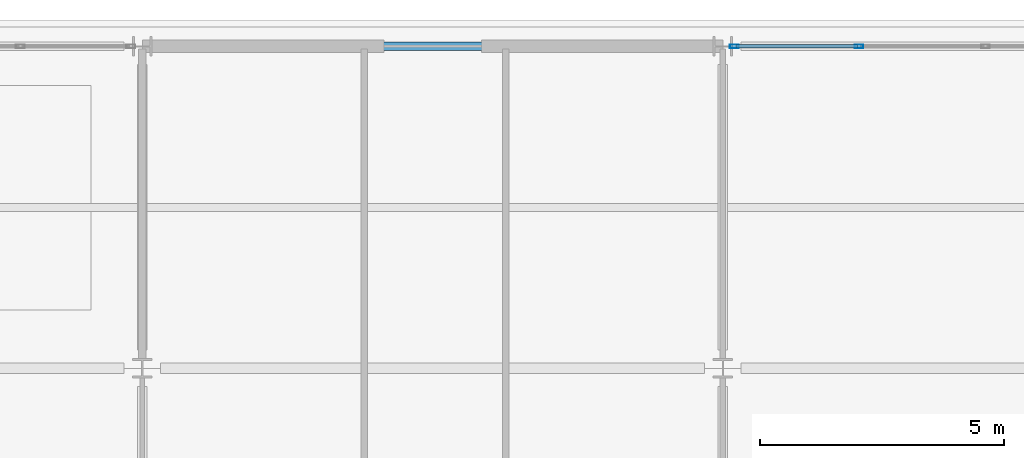
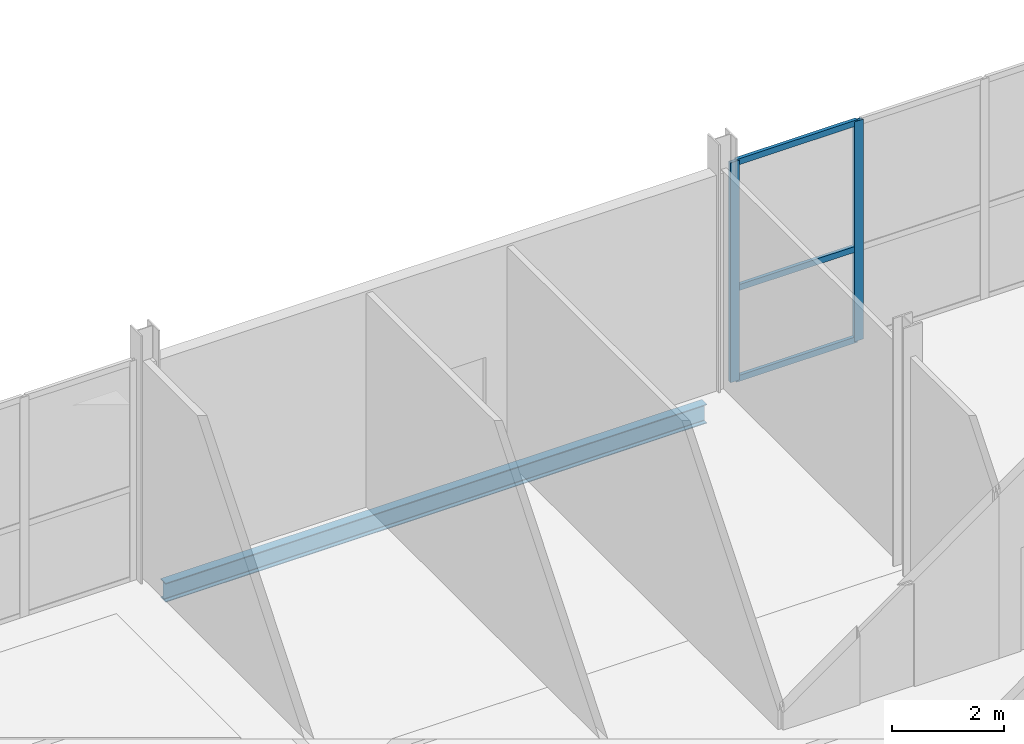
# One storey, part 36 of 83: 5 members, 1 beam, 1 element without a shape of its own.
"""IFC4 building model written with IfcOpenShell, lengths in metres."""

from ifc_helpers import new_model, si_unit, direction, frame, origin, origin_2d, place, context, subcontext, project, spatial, hollow_rectangle, i_section, extrude, material, layer, layer_set, material_profile, profile_set, type_object, element, aggregate, save


model = new_model("IFC4")

# Units and contexts
model_context = context("Model", 3, precision=1e-05, world=origin(), true_north=direction((0.0, 1.0)))
body_context = subcontext(model_context, "Body", "Model", "MODEL_VIEW")
ifc_project = project(units=[si_unit("LENGTHUNIT", "METRE"), si_unit("AREAUNIT", "SQUARE_METRE"), si_unit("VOLUMEUNIT", "CUBIC_METRE"), si_unit("PLANEANGLEUNIT", "RADIAN"), si_unit("MASSUNIT", "GRAM", prefix="KILO")], contexts=[model_context])

# Site, building, storey
site_placement = place(None, origin())
site = spatial("IfcSite", under=ifc_project, at=site_placement, CompositionType="ELEMENT")
building_placement = place(site_placement, origin())
building = spatial("IfcBuilding", under=site, at=building_placement, Name="Quillay Park Conservatory", CompositionType="ELEMENT")
storey_placement = place(building_placement, origin())
storey = spatial("IfcBuildingStorey", under=building, at=storey_placement, Name="L00", CompositionType="ELEMENT", Elevation=0.0)

# Curtain wall, members
ifc_material_1 = material(Name="Thermally Broken Anodised Aluminium 6063-T6", Category="aluminium")
ifc_layer = layer(ifc_material_1, 0.179931640625)
ifc_layer_set = layer_set([ifc_layer], Name="UNITISED CURTAIN WALL TOWER (Thermally Broken Anodised Aluminium 6063-T6)")
curtain_wall_type = type_object("IfcCurtainWallType", Name="UNITISED CURTAIN WALL TOWER", PredefinedType="USERDEFINED", material=ifc_layer_set)
curtain_wall_placement = place(storey_placement, origin())
curtain_wall = element("IfcCurtainWall", 1, at=curtain_wall_placement, inside=storey, type_object=curtain_wall_type, Name="L00 Unitised Curtain Wall 009", ObjectType="UNITISED CURTAIN WALL", PredefinedType="USERDEFINED")
ifc_material_2 = material(Name="Thermally Broken Anodised Aluminium 6063-T6", Category="aluminium")
ifc_material_profile_1 = material_profile(ifc_material_2, hollow_rectangle(XDim=0.070068359375, YDim=0.179931640625, WallThickness=0.00390625, at=origin_2d()), Name="AL70x180x4")
ifc_profile_set_1 = profile_set([ifc_material_profile_1], Name="Thermally Broken Anodised Aluminium 6063-T6")
member_type_1 = type_object("IfcMemberType", Name="CURTAIN WALL MULLION 70 X180", PredefinedType="MULLION", material=ifc_profile_set_1)
member_1_placement = place(storey_placement, frame((19.985107421875, 113.39990234375, 0.0), z_axis=(0.0, 0.0, 1.0), x_axis=(0.0, 1.0, 0.0)))
member_1 = element("IfcMember", 2, at=member_1_placement, type_object=member_type_1, Name="CW-T1 mullion 1", PredefinedType="MULLION", context=body_context, shape_type="SweptSolid", body=[
    extrude(hollow_rectangle(XDim=0.070068359375, YDim=0.179931640625, WallThickness=0.00390625, at=origin_2d()), origin(), (0.0, 0.0, 1.0), 4.7890625),
])
member_2_placement = place(storey_placement, frame((22.541748046875, 113.39990234375, 0.0), z_axis=(0.0, 0.0, 1.0), x_axis=(0.0, 1.0, 0.0)))
member_2 = element("IfcMember", 3, at=member_2_placement, type_object=member_type_1, Name="CW-T1 mullion 2", PredefinedType="MULLION", context=body_context, shape_type="SweptSolid", body=[
    extrude(hollow_rectangle(XDim=0.070068359375, YDim=0.179931640625, WallThickness=0.00390625, at=origin_2d()), origin(), (0.0, 0.0, 1.0), 4.7890625),
])
ifc_material_3 = material(Name="Thermally Broken Anodised Aluminium 6063-T6", Category="aluminium")
ifc_material_profile_2 = material_profile(ifc_material_3, hollow_rectangle(XDim=0.070068359375, YDim=0.1298828125, WallThickness=0.003173828125, at=origin_2d()), Name="AL70x130x3.2")
ifc_profile_set_2 = profile_set([ifc_material_profile_2], Name="Thermally Broken Anodised Aluminium 6063-T6")
member_type_2 = type_object("IfcMemberType", Name="CURTAIN WALL TRANSOM 70 X130", PredefinedType="USERDEFINED", material=ifc_profile_set_2)
member_3_placement = place(storey_placement, frame((20.02001953125, 113.39990234375, 0.034912109375), z_axis=(1.0, 0.0, 0.0), x_axis=(0.0, 1.0, 0.0)))
member_3 = element("IfcMember", 4, at=member_3_placement, type_object=member_type_2, Name="CW-T1 transom 1.1", ObjectType="TRANSOM", PredefinedType="USERDEFINED", context=body_context, shape_type="SweptSolid", body=[
    extrude(hollow_rectangle(XDim=0.070068359375, YDim=0.1298828125, WallThickness=0.003173828125, at=origin_2d()), origin(), (0.0, 0.0, 1.0), 2.486572265625),
])
member_4_placement = place(storey_placement, frame((20.02001953125, 113.39990234375, 2.011474609375), z_axis=(1.0, 0.0, 0.0), x_axis=(0.0, 1.0, 0.0)))
member_4 = element("IfcMember", 5, at=member_4_placement, type_object=member_type_2, Name="CW-T1 transom 1.2", ObjectType="TRANSOM", PredefinedType="USERDEFINED", context=body_context, shape_type="SweptSolid", body=[
    extrude(hollow_rectangle(XDim=0.070068359375, YDim=0.1298828125, WallThickness=0.003173828125, at=origin_2d()), origin(), (0.0, 0.0, 1.0), 2.486572265625),
])
member_5_placement = place(storey_placement, frame((20.02001953125, 113.39990234375, 4.75390625), z_axis=(1.0, 0.0, 0.0), x_axis=(0.0, 1.0, 0.0)))
member_5 = element("IfcMember", 6, at=member_5_placement, type_object=member_type_2, Name="CW-T1 transom 1.3", ObjectType="TRANSOM", PredefinedType="USERDEFINED", context=body_context, shape_type="SweptSolid", body=[
    extrude(hollow_rectangle(XDim=0.070068359375, YDim=0.1298828125, WallThickness=0.003173828125, at=origin_2d()), origin(), (0.0, 0.0, 1.0), 2.486572265625),
])
aggregate(curtain_wall, [member_1, member_2, member_3, member_4, member_5])

# Beam
ifc_material_4 = material(Name="Steel ASTM A992 Grade 50", Category="steel")
ifc_material_profile_3 = material_profile(ifc_material_4, i_section(OverallWidth=0.179931640625, OverallDepth=0.4130859375, WebThickness=0.009765625, FlangeThickness=0.01611328125, FilletRadius=0.011962890625, at=origin_2d()), Name="W410x74")
ifc_profile_set_3 = profile_set([ifc_material_profile_3], Name="Steel ASTM A992 Grade 50")
beam_type = type_object("IfcBeamType", Name="PERIMETER SPANDREL BEAM W410 X74", PredefinedType="SPANDREL", material=ifc_profile_set_3)
beam_placement = place(storey_placement, frame((8.22509765625, 113.39990234375, -0.45654296875), z_axis=(1.0, 0.0, 0.0), x_axis=(0.0, 1.0, 0.0)))
element("IfcBeam", 7, at=beam_placement, inside=storey, type_object=beam_type, Name="L00 beam BM-SP-0065", PredefinedType="SPANDREL", context=body_context, shape_type="SweptSolid", body=[
    extrude(i_section(OverallWidth=0.179931640625, OverallDepth=0.4130859375, WebThickness=0.009765625, FlangeThickness=0.01611328125, FilletRadius=0.011962890625, at=origin_2d()), origin(), (0.0, 0.0, 1.0), 11.14990234375),
])

save(model, "model.ifc")
